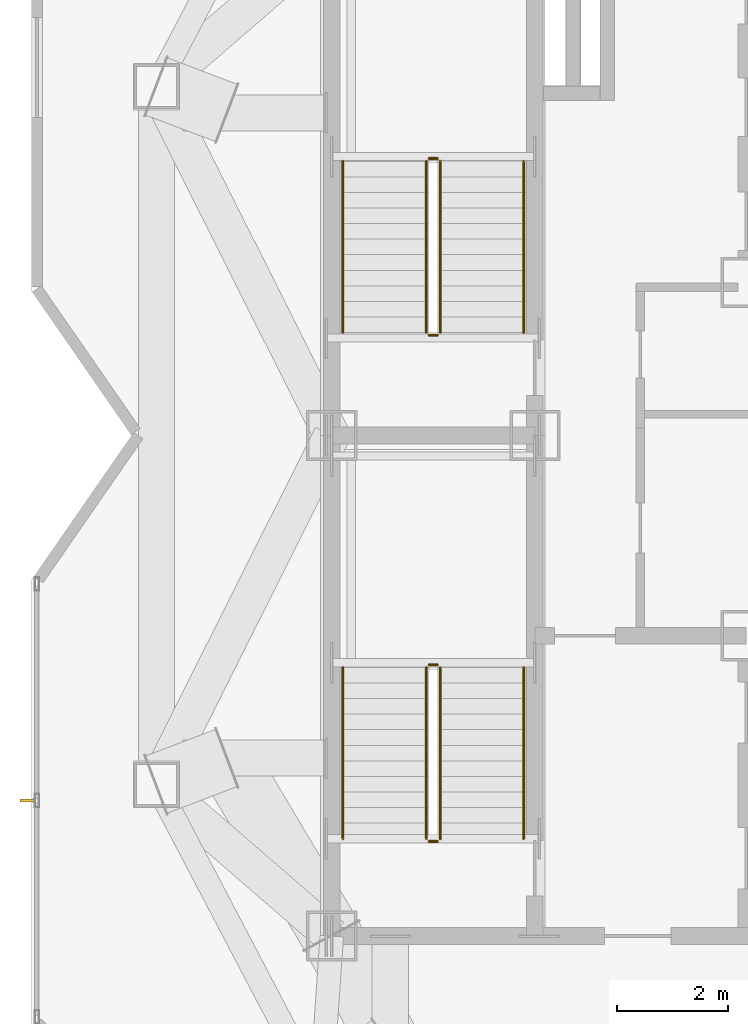
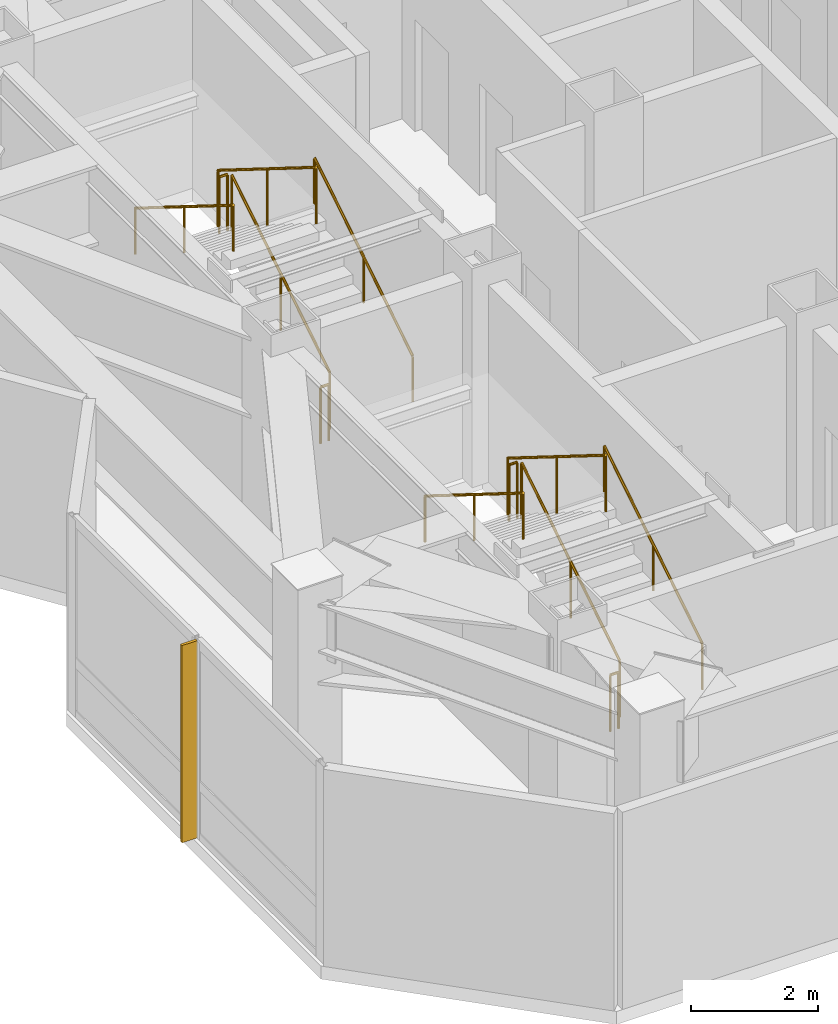
# One storey, part 9 of 9: 12 railings, 1 shading device.
"""IFC4 building model written with IfcOpenShell, lengths in metres."""

from ifc_helpers import new_model, si_unit, direction, frame, origin, origin_2d, place, context, subcontext, project, spatial, rectangle, circle, extrude, material, type_object, element, save


model = new_model("IFC4")

# Units and contexts
model_context = context("Model", 3, precision=1e-05, world=origin(), true_north=direction((0.0, 1.0)))
body_context = subcontext(model_context, "Body", "Model", "MODEL_VIEW")
ifc_project = project(units=[si_unit("LENGTHUNIT", "METRE"), si_unit("AREAUNIT", "SQUARE_METRE"), si_unit("VOLUMEUNIT", "CUBIC_METRE"), si_unit("PLANEANGLEUNIT", "RADIAN"), si_unit("MASSUNIT", "GRAM", prefix="KILO")], contexts=[model_context])

# Site, building, storey
site_placement = place(None, origin())
site = spatial("IfcSite", under=ifc_project, at=site_placement, CompositionType="ELEMENT")
building_placement = place(site_placement, origin())
building = spatial("IfcBuilding", under=site, at=building_placement, Name="Khamvora Tower", CompositionType="ELEMENT")
storey_placement = place(building_placement, frame((0.0, 0.0, 282.050048828125)))
storey = spatial("IfcBuildingStorey", under=building, at=storey_placement, Name="L72", CompositionType="ELEMENT", Elevation=282.050048828125)

# Railings
ifc_material_1 = material(Name="Brushed Stainless Steel 316", Category="steel")
railing_type_1 = type_object("IfcRailingType", Name="RAL-HDR-920", PredefinedType="HANDRAIL", material=ifc_material_1)
railing_1_placement = place(storey_placement, frame((32.449951171875, 20.75, 0.175048828125)))
element("IfcRailing", 1, at=railing_1_placement, inside=storey, type_object=railing_type_1, Name="L72 ST-01 stair handrail 1", PredefinedType="HANDRAIL", context=body_context, shape_type="SweptSolid", body=[
    extrude(circle(Radius=0.02392578125, at=origin_2d()), frame((0.0, 0.0, 0.8759765625), z_axis=(0.0, 0.848028513186, 0.529950602248), x_axis=(-1.0, 0.0, 0.0)), (0.0, 0.0, 1.0), 3.632080078125),
    extrude(circle(Radius=0.02099609375, at=origin_2d()), origin(), (0.0, 0.0, 1.0), 0.851806640625),
    extrude(circle(Radius=0.02099609375, at=origin_2d()), frame((0.0, 1.5400390625, 0.96240234375)), (0.0, 0.0, 1.0), 0.851806640625),
    extrude(circle(Radius=0.02099609375, at=origin_2d()), frame((0.0, 3.080078125, 1.9248046875)), (0.0, 0.0, 1.0), 0.851806640625),
])
railing_2_placement = place(storey_placement, frame((29.199951171875, 23.830078125, 2.27490234375)))
element("IfcRailing", 2, at=railing_2_placement, inside=storey, type_object=railing_type_1, Name="L72 ST-01 stair handrail 2", PredefinedType="HANDRAIL", context=body_context, shape_type="SweptSolid", body=[
    extrude(circle(Radius=0.02392578125, at=origin_2d()), frame((0.0, 0.0, 0.8759765625), z_axis=(0.0, -0.847998304005, 0.529998940003), x_axis=(1.0, 0.0, 0.0)), (0.0, 0.0, 1.0), 3.632080078125),
    extrude(circle(Radius=0.02099609375, at=origin_2d()), origin(), (0.0, 0.0, 1.0), 0.851806640625),
    extrude(circle(Radius=0.02099609375, at=origin_2d()), frame((0.0, -1.5400390625, 0.96240234375)), (0.0, 0.0, 1.0), 0.851806640625),
    extrude(circle(Radius=0.02099609375, at=origin_2d()), frame((0.0, -3.080078125, 1.925048828125)), (0.0, 0.0, 1.0), 0.851806640625),
])
railing_3_placement = place(storey_placement, frame((32.449951171875, 29.85009765625, 0.175048828125)))
element("IfcRailing", 3, at=railing_3_placement, inside=storey, type_object=railing_type_1, Name="L72 ST-02 stair handrail 1", PredefinedType="HANDRAIL", context=body_context, shape_type="SweptSolid", body=[
    extrude(circle(Radius=0.02392578125, at=origin_2d()), frame((0.0, 0.0, 0.8759765625), z_axis=(0.0, 0.848009633417, 0.529980812513), x_axis=(-1.0, 0.0, 0.0)), (0.0, 0.0, 1.0), 3.6318359375),
    extrude(circle(Radius=0.02099609375, at=origin_2d()), origin(), (0.0, 0.0, 1.0), 0.851806640625),
    extrude(circle(Radius=0.02099609375, at=origin_2d()), frame((0.0, 1.5400390625, 0.96240234375)), (0.0, 0.0, 1.0), 0.851806640625),
    extrude(circle(Radius=0.02099609375, at=origin_2d()), frame((0.0, 3.079833984375, 1.9248046875)), (0.0, 0.0, 1.0), 0.851806640625),
])
railing_4_placement = place(storey_placement, frame((29.199951171875, 32.929931640625, 2.27490234375)))
element("IfcRailing", 4, at=railing_4_placement, inside=storey, type_object=railing_type_1, Name="L72 ST-02 stair handrail 2", PredefinedType="HANDRAIL", context=body_context, shape_type="SweptSolid", body=[
    extrude(circle(Radius=0.02392578125, at=origin_2d()), frame((0.0, 0.0, 0.8759765625), z_axis=(0.0, -0.847979421464, 0.530029150871), x_axis=(1.0, 0.0, 0.0)), (0.0, 0.0, 1.0), 3.632080078125),
    extrude(circle(Radius=0.02099609375, at=origin_2d()), origin(), (0.0, 0.0, 1.0), 0.851806640625),
    extrude(circle(Radius=0.02099609375, at=origin_2d()), frame((0.0, -1.5400390625, 0.96240234375)), (0.0, 0.0, 1.0), 0.851806640625),
    extrude(circle(Radius=0.02099609375, at=origin_2d()), frame((0.0, -3.079833984375, 1.925048828125)), (0.0, 0.0, 1.0), 0.851806640625),
])
ifc_material_2 = material(Name="Stainless Steel 316", Category="steel")
railing_type_2 = type_object("IfcRailingType", Name="RAL-STG-1100", PredefinedType="GUARDRAIL", material=ifc_material_2)
railing_5_placement = place(storey_placement, frame((30.949951171875, 20.75, 0.175048828125)))
element("IfcRailing", 5, at=railing_5_placement, inside=storey, type_object=railing_type_2, Name="L72 ST-01 stair guard 1", PredefinedType="GUARDRAIL", context=body_context, shape_type="SweptSolid", body=[
    extrude(circle(Radius=0.02392578125, at=origin_2d()), frame((0.0, 0.0, 1.076171875), z_axis=(0.0, 0.848028513186, 0.529950602248), x_axis=(-1.0, 0.0, 0.0)), (0.0, 0.0, 1.0), 3.632080078125),
    extrude(circle(Radius=0.02099609375, at=origin_2d()), origin(), (0.0, 0.0, 1.0), 1.052001953125),
    extrude(circle(Radius=0.02099609375, at=origin_2d()), frame((0.0, 1.5400390625, 0.96240234375)), (0.0, 0.0, 1.0), 1.052001953125),
    extrude(circle(Radius=0.02099609375, at=origin_2d()), frame((0.0, 3.080078125, 1.9248046875)), (0.0, 0.0, 1.0), 1.052001953125),
])
railing_6_placement = place(storey_placement, frame((30.89990234375, 23.8798828125, 2.099853515625)))
element("IfcRailing", 6, at=railing_6_placement, inside=storey, type_object=railing_type_2, Name="L72 ST-01 stair guard 2", PredefinedType="GUARDRAIL", context=body_context, shape_type="SweptSolid", body=[
    extrude(circle(Radius=0.02392578125, at=origin_2d()), frame((0.0, 0.0, 1.076171875), z_axis=(-1.0, 0.0, 0.0), x_axis=(0.0, -1.0, 0.0)), (0.0, 0.0, 1.0), 0.14990234375),
    extrude(circle(Radius=0.02099609375, at=origin_2d()), origin(), (0.0, 0.0, 1.0), 1.052001953125),
    extrude(circle(Radius=0.02099609375, at=origin_2d()), frame((-0.14990234375, 0.0, 0.0)), (0.0, 0.0, 1.0), 1.052001953125),
])
railing_7_placement = place(storey_placement, frame((30.699951171875, 23.830078125, 2.27490234375)))
element("IfcRailing", 7, at=railing_7_placement, inside=storey, type_object=railing_type_2, Name="L72 ST-01 stair guard 3", PredefinedType="GUARDRAIL", context=body_context, shape_type="SweptSolid", body=[
    extrude(circle(Radius=0.02392578125, at=origin_2d()), frame((0.0, 0.0, 1.076171875), z_axis=(0.0, -0.847998304005, 0.529998940003), x_axis=(1.0, 0.0, 0.0)), (0.0, 0.0, 1.0), 3.632080078125),
    extrude(circle(Radius=0.02099609375, at=origin_2d()), origin(), (0.0, 0.0, 1.0), 1.052001953125),
    extrude(circle(Radius=0.02099609375, at=origin_2d()), frame((0.0, -1.5400390625, 0.96240234375)), (0.0, 0.0, 1.0), 1.052001953125),
    extrude(circle(Radius=0.02099609375, at=origin_2d()), frame((0.0, -3.080078125, 1.925048828125)), (0.0, 0.0, 1.0), 1.052001953125),
])
railing_8_placement = place(storey_placement, frame((30.89990234375, 20.699951171875, 0.0)))
element("IfcRailing", 8, at=railing_8_placement, inside=storey, type_object=railing_type_2, Name="L72 ST-01 stair guard 4", PredefinedType="GUARDRAIL", context=body_context, shape_type="SweptSolid", body=[
    extrude(circle(Radius=0.02392578125, at=origin_2d()), frame((0.0, 0.0, 1.076171875), z_axis=(-1.0, 0.0, 0.0), x_axis=(0.0, -1.0, 0.0)), (0.0, 0.0, 1.0), 0.14990234375),
    extrude(circle(Radius=0.02099609375, at=origin_2d()), origin(), (0.0, 0.0, 1.0), 1.052001953125),
    extrude(circle(Radius=0.02099609375, at=origin_2d()), frame((-0.14990234375, 0.0, 0.0)), (0.0, 0.0, 1.0), 1.052001953125),
])
railing_9_placement = place(storey_placement, frame((30.949951171875, 29.85009765625, 0.175048828125)))
element("IfcRailing", 9, at=railing_9_placement, inside=storey, type_object=railing_type_2, Name="L72 ST-02 stair guard 1", PredefinedType="GUARDRAIL", context=body_context, shape_type="SweptSolid", body=[
    extrude(circle(Radius=0.02392578125, at=origin_2d()), frame((0.0, 0.0, 1.076171875), z_axis=(0.0, 0.848009633417, 0.529980812513), x_axis=(-1.0, 0.0, 0.0)), (0.0, 0.0, 1.0), 3.6318359375),
    extrude(circle(Radius=0.02099609375, at=origin_2d()), origin(), (0.0, 0.0, 1.0), 1.052001953125),
    extrude(circle(Radius=0.02099609375, at=origin_2d()), frame((0.0, 1.5400390625, 0.96240234375)), (0.0, 0.0, 1.0), 1.052001953125),
    extrude(circle(Radius=0.02099609375, at=origin_2d()), frame((0.0, 3.079833984375, 1.9248046875)), (0.0, 0.0, 1.0), 1.052001953125),
])
railing_10_placement = place(storey_placement, frame((30.89990234375, 32.97998046875, 2.099853515625)))
element("IfcRailing", 10, at=railing_10_placement, inside=storey, type_object=railing_type_2, Name="L72 ST-02 stair guard 2", PredefinedType="GUARDRAIL", context=body_context, shape_type="SweptSolid", body=[
    extrude(circle(Radius=0.02392578125, at=origin_2d()), frame((0.0, 0.0, 1.076171875), z_axis=(-1.0, 0.0, 0.0), x_axis=(0.0, -1.0, 0.0)), (0.0, 0.0, 1.0), 0.14990234375),
    extrude(circle(Radius=0.02099609375, at=origin_2d()), origin(), (0.0, 0.0, 1.0), 1.052001953125),
    extrude(circle(Radius=0.02099609375, at=origin_2d()), frame((-0.14990234375, 0.0, 0.0)), (0.0, 0.0, 1.0), 1.052001953125),
])
railing_11_placement = place(storey_placement, frame((30.699951171875, 32.929931640625, 2.27490234375)))
element("IfcRailing", 11, at=railing_11_placement, inside=storey, type_object=railing_type_2, Name="L72 ST-02 stair guard 3", PredefinedType="GUARDRAIL", context=body_context, shape_type="SweptSolid", body=[
    extrude(circle(Radius=0.02392578125, at=origin_2d()), frame((0.0, 0.0, 1.076171875), z_axis=(0.0, -0.847979421464, 0.530029150871), x_axis=(1.0, 0.0, 0.0)), (0.0, 0.0, 1.0), 3.632080078125),
    extrude(circle(Radius=0.02099609375, at=origin_2d()), origin(), (0.0, 0.0, 1.0), 1.052001953125),
    extrude(circle(Radius=0.02099609375, at=origin_2d()), frame((0.0, -1.5400390625, 0.96240234375)), (0.0, 0.0, 1.0), 1.052001953125),
    extrude(circle(Radius=0.02099609375, at=origin_2d()), frame((0.0, -3.079833984375, 1.925048828125)), (0.0, 0.0, 1.0), 1.052001953125),
])
railing_12_placement = place(storey_placement, frame((30.89990234375, 29.800048828125, 0.0)))
element("IfcRailing", 12, at=railing_12_placement, inside=storey, type_object=railing_type_2, Name="L72 ST-02 stair guard 4", PredefinedType="GUARDRAIL", context=body_context, shape_type="SweptSolid", body=[
    extrude(circle(Radius=0.02392578125, at=origin_2d()), frame((0.0, 0.0, 1.076171875), z_axis=(-1.0, 0.0, 0.0), x_axis=(0.0, -1.0, 0.0)), (0.0, 0.0, 1.0), 0.14990234375),
    extrude(circle(Radius=0.02099609375, at=origin_2d()), origin(), (0.0, 0.0, 1.0), 1.052001953125),
    extrude(circle(Radius=0.02099609375, at=origin_2d()), frame((-0.14990234375, 0.0, 0.0)), (0.0, 0.0, 1.0), 1.052001953125),
])

# Shading device
ifc_material_3 = material(Name="Pale Anodised Aluminium 6063-T6", Category="aluminium")
shading_device_type = type_object("IfcShadingDeviceType", Name="SHD-FIN-280", PredefinedType="USERDEFINED", material=ifc_material_3)
shading_device_placement = place(storey_placement, frame((23.534912109375, 21.43701171875, 0.0), z_axis=(0.0, 0.0, 1.0), x_axis=(0.0, 1.0, 0.0)))
element("IfcShadingDevice", 13, at=shading_device_placement, inside=storey, type_object=shading_device_type, Name="L72 anodised bronze solar fin 02.01", ObjectType="FIN", PredefinedType="USERDEFINED", context=body_context, shape_type="SweptSolid", body=[
    extrude(rectangle(XDim=0.050048828125, YDim=0.280029296875, at=origin_2d()), origin(), (0.0, 0.0, 1.0), 3.780029296875),
])

save(model, "model.ifc")
